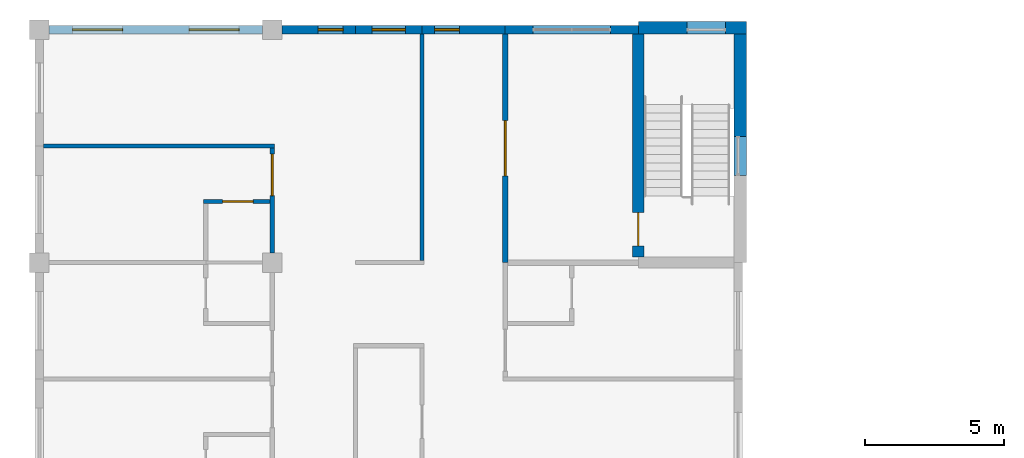
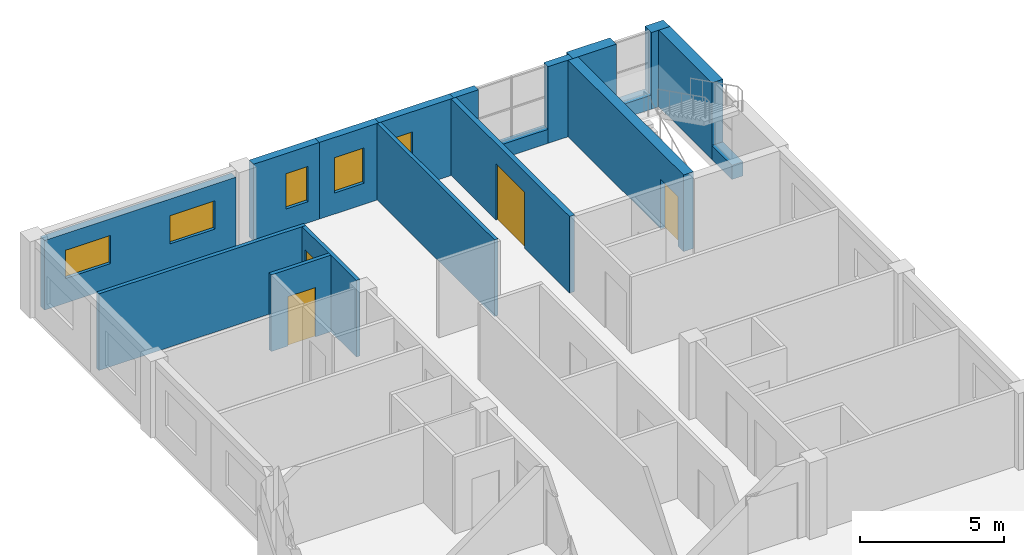
# One storey, part 34 of 45: 18 walls, 5 windows, 4 doors, 9 openings.
"""IFC4 building model written with IfcOpenShell, lengths in metres."""

from ifc_helpers import new_model, si_unit, direction, frame, frame_2d, origin, place, context, subcontext, project, spatial, rectangle, extrude, material, layer, layer_set, type_object, element, fill, save


model = new_model("IFC4")

# Units and contexts
model_context = context("Model", 3, precision=1e-05, world=origin(), true_north=direction((0.0, 1.0)))
body_context = subcontext(model_context, "Body", "Model", "MODEL_VIEW")
ifc_project = project(units=[si_unit("LENGTHUNIT", "METRE"), si_unit("AREAUNIT", "SQUARE_METRE"), si_unit("VOLUMEUNIT", "CUBIC_METRE"), si_unit("PLANEANGLEUNIT", "RADIAN"), si_unit("MASSUNIT", "GRAM", prefix="KILO")], contexts=[model_context])

# Site, building, storey
site_placement = place(None, origin())
site = spatial("IfcSite", under=ifc_project, at=site_placement, CompositionType="ELEMENT")
building_placement = place(site_placement, origin())
building = spatial("IfcBuilding", under=site, at=building_placement, Name="Yavir Park General Hospital", CompositionType="ELEMENT")
storey_placement = place(building_placement, frame((0.0, 0.0, 22.5)))
storey = spatial("IfcBuildingStorey", under=building, at=storey_placement, Name="L05", CompositionType="ELEMENT", Elevation=22.5)

# Wall, opening, door
ifc_material_1 = material(Name="Double gypsum board fire partition on steel studs", Category="steel")
ifc_layer_1 = layer(ifc_material_1, 0.199951171875)
ifc_layer_set_1 = layer_set([ifc_layer_1], Name="Double gypsum board fire partition on steel studs")
wall_type_1 = type_object("IfcWallType", Name="Fire-rated partition 200, EI 60", PredefinedType="PARTITIONING", material=ifc_layer_set_1)
wall_1_placement = place(storey_placement, frame((16.800048828125, 109.199951171875, 0.0), z_axis=(0.0, 0.0, 1.0), x_axis=(0.0, 1.0, 0.0)))
wall_1 = element("IfcWall", 1, at=wall_1_placement, inside=storey, type_object=wall_type_1, Name="FP20 L05-195", PredefinedType="PARTITIONING", context=body_context, shape_type="SweptSolid", body=[
    extrude(rectangle(XDim=8.25, YDim=0.199951171875, at=frame_2d((4.125, 0.0))), origin(), (0.0, 0.0, 1.0), 3.260009765625),
])
opening_1_placement = place(wall_1_placement, frame((3.125, 0.0, 0.0)))
opening_1 = element("IfcOpeningElement", 2, at=opening_1_placement, cuts=wall_1, Name="Opening L05.D131", PredefinedType="OPENING", context=body_context, shape_type="SweptSolid", body=[
    extrude(rectangle(XDim=2.0, YDim=2.39990234375, at=frame_2d((1.0, 1.199951171875))), frame((0.0, 0.10986328125, 0.0), z_axis=(0.0, -1.0, 0.0), x_axis=(1.0, 0.0, 0.0)), (0.0, 0.0, 1.0), 0.219970703125),
])
ifc_material_2 = material(Name="Steel frame, fire-resisting leaves with vision panels", Category="steel")
door_type_1 = type_object("IfcDoorType", Name="Double fire door with vision panels 2000 x 2400, EI 60", OperationType="DOUBLE_DOOR_SINGLE_SWING", PredefinedType="DOOR", material=ifc_material_2)
door_1_placement = place(opening_1_placement, origin())
door_1 = element("IfcDoor", 3, at=door_1_placement, inside=storey, type_object=door_type_1, Name="L05.D131", OperationType="SINGLE_SWING_LEFT", OverallHeight=2.39990234375, OverallWidth=2.0, PredefinedType="DOOR", context=body_context, shape_type="SweptSolid", body=[
    extrude(rectangle(XDim=2.0, YDim=2.39990234375, at=frame_2d((1.0, 1.199951171875))), frame((0.0, 0.030029296875, 0.0), z_axis=(0.0, -1.0, 0.0), x_axis=(1.0, 0.0, 0.0)), (0.0, 0.0, 1.0), 0.06005859375),
])
fill(opening_1, door_1)

ifc_material_3 = material(Name="Gypsum board partition on steel studs", Category="steel")
ifc_layer_2 = layer(ifc_material_3, 0.14990234375)
ifc_layer_set_2 = layer_set([ifc_layer_2], Name="Gypsum board partition on steel studs")
wall_type_2 = type_object("IfcWallType", Name="Gypsum board partition 150", PredefinedType="PARTITIONING", material=ifc_layer_set_2)
wall_2_placement = place(storey_placement, frame((5.925048828125, 111.39990234375, 0.0), z_axis=(0.0, 0.0, 1.0), x_axis=(1.0, 0.0, 0.0)))
wall_2 = element("IfcWall", 4, at=wall_2_placement, inside=storey, type_object=wall_type_2, Name="P15 L05-138", PredefinedType="PARTITIONING", context=body_context, shape_type="SweptSolid", body=[
    extrude(rectangle(XDim=2.39990234375, YDim=0.14990234375, at=frame_2d((1.199951171875, 0.0))), origin(), (0.0, 0.0, 1.0), 3.260009765625),
])
opening_2_placement = place(wall_2_placement, frame((0.6875, 0.0, 0.0)))
opening_2 = element("IfcOpeningElement", 5, at=opening_2_placement, cuts=wall_2, Name="Opening L05.D074", PredefinedType="OPENING", context=body_context, shape_type="SweptSolid", body=[
    extrude(rectangle(XDim=1.10009765625, YDim=2.10009765625, at=frame_2d((0.550048828125, 1.050048828125))), frame((0.0, 0.0849609375, 0.0), z_axis=(0.0, -1.0, 0.0), x_axis=(1.0, 0.0, 0.0)), (0.0, 0.0, 1.0), 0.169921875),
])
ifc_material_4 = material(Name="Hollow metal frame, solid-core timber leaf", Category="wood")
door_type_2 = type_object("IfcDoorType", Name="Single swing door 1100 x 2100", OperationType="SINGLE_SWING_LEFT", PredefinedType="DOOR", material=ifc_material_4)
door_2_placement = place(opening_2_placement, origin())
door_2 = element("IfcDoor", 6, at=door_2_placement, inside=storey, type_object=door_type_2, Name="L05.D074", OperationType="SINGLE_SWING_LEFT", OverallHeight=2.10009765625, OverallWidth=1.10009765625, PredefinedType="DOOR", context=body_context, shape_type="SweptSolid", body=[
    extrude(rectangle(XDim=1.10009765625, YDim=2.10009765625, at=frame_2d((0.550048828125, 1.050048828125))), frame((0.0, 0.02490234375, 0.0), z_axis=(0.0, -1.0, 0.0), x_axis=(1.0, 0.0, 0.0)), (0.0, 0.0, 1.0), 0.050048828125),
])
fill(opening_2, door_2)

# Wall
wall_3_placement = place(storey_placement, frame((0.14990234375, 113.39990234375, 0.0), z_axis=(0.0, 0.0, 1.0), x_axis=(1.0, 0.0, 0.0)))
element("IfcWall", 7, at=wall_3_placement, inside=storey, type_object=wall_type_2, Name="P15 L05-139", PredefinedType="PARTITIONING", context=body_context, shape_type="SweptSolid", body=[
    extrude(rectangle(XDim=8.3251953125, YDim=0.14990234375, at=frame_2d((4.16259765625, 0.0))), origin(), (0.0, 0.0, 1.0), 3.260009765625),
])

# Wall, opening, door
wall_4_placement = place(storey_placement, frame((8.39990234375, 109.550048828125, 0.0), z_axis=(0.0, 0.0, 1.0), x_axis=(0.0, 1.0, 0.0)))
wall_4 = element("IfcWall", 8, at=wall_4_placement, inside=storey, type_object=wall_type_2, Name="P15 L05-171", PredefinedType="PARTITIONING", context=body_context, shape_type="SweptSolid", body=[
    extrude(rectangle(XDim=3.77490234375, YDim=0.14990234375, at=frame_2d((1.887451171875, 0.0))), origin(), (0.0, 0.0, 1.0), 3.260009765625),
])
opening_3_placement = place(wall_4_placement, frame((2.0625, 0.0, 0.0)))
opening_3 = element("IfcOpeningElement", 9, at=opening_3_placement, cuts=wall_4, Name="Opening L05.D106", PredefinedType="OPENING", context=body_context, shape_type="SweptSolid", body=[
    extrude(rectangle(XDim=1.5, YDim=2.39990234375, at=frame_2d((0.75, 1.199951171875))), frame((0.0, 0.0849609375, 0.0), z_axis=(0.0, -1.0, 0.0), x_axis=(1.0, 0.0, 0.0)), (0.0, 0.0, 1.0), 0.169921875),
])
ifc_material_5 = material(Name="Solid-core timber leaves, push plates, kick plates", Category="wood")
door_type_3 = type_object("IfcDoorType", Name="Bed door, unequal leaves 1500 x 2400", OperationType="DOUBLE_DOOR_SINGLE_SWING", PredefinedType="DOOR", material=ifc_material_5)
door_3_placement = place(opening_3_placement, origin())
door_3 = element("IfcDoor", 10, at=door_3_placement, inside=storey, type_object=door_type_3, Name="L05.D106", OperationType="SINGLE_SWING_RIGHT", OverallHeight=2.39990234375, OverallWidth=1.5, PredefinedType="DOOR", context=body_context, shape_type="SweptSolid", body=[
    extrude(rectangle(XDim=1.5, YDim=2.39990234375, at=frame_2d((0.75, 1.199951171875))), frame((0.0, 0.030029296875, 0.0), z_axis=(0.0, -1.0, 0.0), x_axis=(1.0, 0.0, 0.0)), (0.0, 0.0, 1.0), 0.06005859375),
])
fill(opening_3, door_3)

# Wall
wall_5_placement = place(storey_placement, frame((13.800048828125, 109.27490234375, 0.0), z_axis=(0.0, 0.0, 1.0), x_axis=(0.0, 1.0, 0.0)))
element("IfcWall", 11, at=wall_5_placement, inside=storey, type_object=wall_type_2, Name="P15 L05-182", PredefinedType="PARTITIONING", context=body_context, shape_type="SweptSolid", body=[
    extrude(rectangle(XDim=8.175048828125, YDim=0.14990234375, at=frame_2d((4.08740234375, 0.0))), origin(), (0.0, 0.0, 1.0), 3.260009765625),
])

# Wall, openings, windows
ifc_material_6 = material(Name="Autoclaved aerated block, mineral wool and ochre mineral render")
ifc_layer_3 = layer(ifc_material_6, 0.300048828125)
ifc_layer_set_3 = layer_set([ifc_layer_3], Name="Autoclaved aerated block, mineral wool and ochre mineral render")
wall_type_3 = type_object("IfcWallType", Name="Ochre render ward wall 300, E 30", PredefinedType="SOLIDWALL", material=ifc_layer_set_3)
wall_6_placement = place(storey_placement, frame((0.35009765625, 117.60009765625, 0.0), z_axis=(0.0, 0.0, 1.0), x_axis=(1.0, 0.0, 0.0)))
wall_6 = element("IfcWall", 12, at=wall_6_placement, inside=storey, type_object=wall_type_3, Name="XW7 L05-058", PredefinedType="SOLIDWALL", context=body_context, shape_type="SweptSolid", body=[
    extrude(rectangle(XDim=7.699951171875, YDim=0.300048828125, at=frame_2d((3.85009765625, 0.0))), origin(), (0.0, 0.0, 1.0), 2.9599609375),
])
opening_4_placement = place(wall_6_placement, frame((0.85009765625, 0.0, 1.050048828125)))
opening_4 = element("IfcOpeningElement", 13, at=opening_4_placement, cuts=wall_6, Name="Opening WQ", PredefinedType="OPENING", context=body_context, shape_type="SweptSolid", body=[
    extrude(rectangle(XDim=1.800048828125, YDim=1.199951171875, at=frame_2d((0.89990234375, 0.60009765625))), frame((0.0, 0.159912109375, 0.0), z_axis=(0.0, -1.0, 0.0), x_axis=(1.0, 0.0, 0.0)), (0.0, 0.0, 1.0), 0.320068359375),
])
opening_5_placement = place(wall_6_placement, frame((5.050048828125, 0.0, 1.050048828125)))
opening_5 = element("IfcOpeningElement", 14, at=opening_5_placement, cuts=wall_6, Name="Opening WQ", PredefinedType="OPENING", context=body_context, shape_type="SweptSolid", body=[
    extrude(rectangle(XDim=1.800048828125, YDim=1.199951171875, at=frame_2d((0.89990234375, 0.60009765625))), frame((0.0, 0.159912109375, 0.0), z_axis=(0.0, -1.0, 0.0), x_axis=(1.0, 0.0, 0.0)), (0.0, 0.0, 1.0), 0.320068359375),
])
ifc_material_7 = material(Name="Aluminium frame, double glazed unit", Category="aluminium")
window_type_1 = type_object("IfcWindowType", Name="Dining room window 1800 x 1200", PartitioningType="DOUBLE_PANEL_VERTICAL", PredefinedType="WINDOW", material=ifc_material_7)
window_1_placement = place(opening_4_placement, origin())
window_1 = element("IfcWindow", 15, at=window_1_placement, inside=storey, type_object=window_type_1, Name="WQ L05-019", OverallHeight=1.199951171875, OverallWidth=1.800048828125, PartitioningType="DOUBLE_PANEL_VERTICAL", PredefinedType="WINDOW", context=body_context, shape_type="SweptSolid", body=[
    extrude(rectangle(XDim=1.800048828125, YDim=1.199951171875, at=frame_2d((0.89990234375, 0.60009765625))), frame((0.0, 0.030029296875, 0.0), z_axis=(0.0, -1.0, 0.0), x_axis=(1.0, 0.0, 0.0)), (0.0, 0.0, 1.0), 0.06005859375),
])
fill(opening_4, window_1)
window_2_placement = place(opening_5_placement, origin())
window_2 = element("IfcWindow", 16, at=window_2_placement, inside=storey, type_object=window_type_1, Name="WQ L05-020", OverallHeight=1.199951171875, OverallWidth=1.800048828125, PartitioningType="DOUBLE_PANEL_VERTICAL", PredefinedType="WINDOW", context=body_context, shape_type="SweptSolid", body=[
    extrude(rectangle(XDim=1.800048828125, YDim=1.199951171875, at=frame_2d((0.89990234375, 0.60009765625))), frame((0.0, 0.030029296875, 0.0), z_axis=(0.0, -1.0, 0.0), x_axis=(1.0, 0.0, 0.0)), (0.0, 0.0, 1.0), 0.06005859375),
])
fill(opening_5, window_2)

# Wall, opening, window
wall_7_placement = place(storey_placement, frame((8.75, 117.60009765625, 0.0), z_axis=(0.0, 0.0, 1.0), x_axis=(1.0, 0.0, 0.0)))
wall_7 = element("IfcWall", 17, at=wall_7_placement, inside=storey, type_object=wall_type_3, Name="XW7 L05-059", PredefinedType="SOLIDWALL", context=body_context, shape_type="SweptSolid", body=[
    extrude(rectangle(XDim=2.64990234375, YDim=0.300048828125, at=frame_2d((1.324951171875, 0.0))), origin(), (0.0, 0.0, 1.0), 3.260009765625),
])
opening_6_placement = place(wall_7_placement, frame((1.300048828125, 0.0, 0.89990234375)))
opening_6 = element("IfcOpeningElement", 18, at=opening_6_placement, cuts=wall_7, Name="Opening WH", PredefinedType="OPENING", context=body_context, shape_type="SweptSolid", body=[
    extrude(rectangle(XDim=0.89990234375, YDim=1.5, at=frame_2d((0.449951171875, 0.75))), frame((0.0, 0.159912109375, 0.0), z_axis=(0.0, -1.0, 0.0), x_axis=(1.0, 0.0, 0.0)), (0.0, 0.0, 1.0), 0.320068359375),
])
ifc_material_8 = material(Name="Aluminium frame, double glazed unit", Category="aluminium")
window_type_2 = type_object("IfcWindowType", Name="Narrow window 900 x 1500", PartitioningType="SINGLE_PANEL", PredefinedType="WINDOW", material=ifc_material_8)
window_3_placement = place(opening_6_placement, origin())
window_3 = element("IfcWindow", 19, at=window_3_placement, inside=storey, type_object=window_type_2, Name="WH L05-021", OverallHeight=1.5, OverallWidth=0.89990234375, PartitioningType="SINGLE_PANEL", PredefinedType="WINDOW", context=body_context, shape_type="SweptSolid", body=[
    extrude(rectangle(XDim=0.89990234375, YDim=1.5, at=frame_2d((0.449951171875, 0.75))), frame((0.0, 0.030029296875, 0.0), z_axis=(0.0, -1.0, 0.0), x_axis=(1.0, 0.0, 0.0)), (0.0, 0.0, 1.0), 0.06005859375),
])
fill(opening_6, window_3)

wall_8_placement = place(storey_placement, frame((11.39990234375, 117.60009765625, 0.0), z_axis=(0.0, 0.0, 1.0), x_axis=(1.0, 0.0, 0.0)))
wall_8 = element("IfcWall", 20, at=wall_8_placement, inside=storey, type_object=wall_type_3, Name="XW7 L05-060", PredefinedType="SOLIDWALL", context=body_context, shape_type="SweptSolid", body=[
    extrude(rectangle(XDim=2.400146484375, YDim=0.300048828125, at=frame_2d((1.2001953125, 0.0))), origin(), (0.0, 0.0, 1.0), 3.260009765625),
])
opening_7_placement = place(wall_8_placement, frame((0.60009765625, 0.0, 0.89990234375)))
opening_7 = element("IfcOpeningElement", 21, at=opening_7_placement, cuts=wall_8, Name="Opening WD", PredefinedType="OPENING", context=body_context, shape_type="SweptSolid", body=[
    extrude(rectangle(XDim=1.199951171875, YDim=1.5, at=frame_2d((0.60009765625, 0.75))), frame((0.0, 0.159912109375, 0.0), z_axis=(0.0, -1.0, 0.0), x_axis=(1.0, 0.0, 0.0)), (0.0, 0.0, 1.0), 0.320068359375),
])
ifc_material_9 = material(Name="Aluminium frame, double glazed unit", Category="aluminium")
window_type_3 = type_object("IfcWindowType", Name="Office window 1200 x 1500", PartitioningType="SINGLE_PANEL", PredefinedType="WINDOW", material=ifc_material_9)
window_4_placement = place(opening_7_placement, origin())
window_4 = element("IfcWindow", 22, at=window_4_placement, inside=storey, type_object=window_type_3, Name="WD L05-022", OverallHeight=1.5, OverallWidth=1.199951171875, PartitioningType="SINGLE_PANEL", PredefinedType="WINDOW", context=body_context, shape_type="SweptSolid", body=[
    extrude(rectangle(XDim=1.199951171875, YDim=1.5, at=frame_2d((0.60009765625, 0.75))), frame((0.0, 0.030029296875, 0.0), z_axis=(0.0, -1.0, 0.0), x_axis=(1.0, 0.0, 0.0)), (0.0, 0.0, 1.0), 0.06005859375),
])
fill(opening_7, window_4)

wall_9_placement = place(storey_placement, frame((13.800048828125, 117.60009765625, 0.0), z_axis=(0.0, 0.0, 1.0), x_axis=(1.0, 0.0, 0.0)))
wall_9 = element("IfcWall", 23, at=wall_9_placement, inside=storey, type_object=wall_type_3, Name="XW7 L05-061", PredefinedType="SOLIDWALL", context=body_context, shape_type="SweptSolid", body=[
    extrude(rectangle(XDim=3.0, YDim=0.300048828125, at=frame_2d((1.5, 0.0))), origin(), (0.0, 0.0, 1.0), 3.260009765625),
])
opening_8_placement = place(wall_9_placement, frame((0.449951171875, 0.0, 0.89990234375)))
opening_8 = element("IfcOpeningElement", 24, at=opening_8_placement, cuts=wall_9, Name="Opening WH", PredefinedType="OPENING", context=body_context, shape_type="SweptSolid", body=[
    extrude(rectangle(XDim=0.89990234375, YDim=1.5, at=frame_2d((0.449951171875, 0.75))), frame((0.0, 0.159912109375, 0.0), z_axis=(0.0, -1.0, 0.0), x_axis=(1.0, 0.0, 0.0)), (0.0, 0.0, 1.0), 0.320068359375),
])
window_5_placement = place(opening_8_placement, origin())
window_5 = element("IfcWindow", 25, at=window_5_placement, inside=storey, type_object=window_type_2, Name="WH L05-023", OverallHeight=1.5, OverallWidth=0.89990234375, PartitioningType="SINGLE_PANEL", PredefinedType="WINDOW", context=body_context, shape_type="SweptSolid", body=[
    extrude(rectangle(XDim=0.89990234375, YDim=1.5, at=frame_2d((0.449951171875, 0.75))), frame((0.0, 0.030029296875, 0.0), z_axis=(0.0, -1.0, 0.0), x_axis=(1.0, 0.0, 0.0)), (0.0, 0.0, 1.0), 0.06005859375),
])
fill(opening_8, window_5)

# Walls
for number, where, z_axis, x_axis, name in (
    (26, (16.800048828125, 117.60009765625, 0.0), (0.0, 0.0, 1.0), (1.0, 0.0, 0.0), "XW7 L05-062"),
    (27, (20.60009765625, 117.60009765625, 0.0), (0.0, 0.0, 1.0), (1.0, 0.0, 0.0), "XW7 L05-063"),
):
    element("IfcWall", number, at=place(storey_placement, frame(where, z_axis=z_axis, x_axis=x_axis)), inside=storey, type_object=wall_type_3, Name=name, PredefinedType="SOLIDWALL", context=body_context, shape_type="SweptSolid", body=[
        extrude(rectangle(XDim=1.0, YDim=0.300048828125, at=frame_2d((0.5, 0.0))), origin(), (0.0, 0.0, 1.0), 3.260009765625),
    ])
wall_10_placement = place(storey_placement, frame((17.800048828125, 117.60009765625, 0.0), z_axis=(0.0, 0.0, 1.0), x_axis=(1.0, 0.0, 0.0)))
element("IfcWall", 28, at=wall_10_placement, inside=storey, type_object=wall_type_3, Name="XW7 L05-064", PredefinedType="SOLIDWALL", context=body_context, shape_type="SweptSolid", body=[
    extrude(rectangle(XDim=2.800048828125, YDim=0.300048828125, at=frame_2d((1.39990234375, 0.0))), origin(), (0.0, 0.0, 1.0), 0.60009765625),
])

# Wall, opening, door
ifc_material_10 = material(Name="Concrete C35/45", Category="concrete")
ifc_layer_4 = layer(ifc_material_10, 0.39990234375)
ifc_layer_set_4 = layer_set([ifc_layer_4], Name="Concrete C35/45")
wall_type_4 = type_object("IfcWallType", Name="Reinforced concrete core wall 400, REI 150", PredefinedType="SHEAR", material=ifc_layer_set_4)
wall_11_placement = place(storey_placement, frame((21.60009765625, 109.39990234375, 0.0), z_axis=(0.0, 0.0, 1.0), x_axis=(0.0, 1.0, 0.0)))
wall_11 = element("IfcWall", 29, at=wall_11_placement, inside=storey, type_object=wall_type_4, Name="CW40 L05-211", PredefinedType="SHEAR", context=body_context, shape_type="SweptSolid", body=[
    extrude(rectangle(XDim=8.050048828125, YDim=0.39990234375, at=frame_2d((4.02490234375, 0.0))), origin(), (0.0, 0.0, 1.0), 3.260009765625),
])
opening_9_placement = place(wall_11_placement, frame((0.39990234375, 0.0, 0.0)))
opening_9 = element("IfcOpeningElement", 30, at=opening_9_placement, cuts=wall_11, Name="Opening L05.D140", PredefinedType="OPENING", context=body_context, shape_type="SweptSolid", body=[
    extrude(rectangle(XDim=1.199951171875, YDim=2.10009765625, at=frame_2d((0.60009765625, 1.050048828125))), frame((0.0, 0.2099609375, 0.0), z_axis=(0.0, -1.0, 0.0), x_axis=(1.0, 0.0, 0.0)), (0.0, 0.0, 1.0), 0.419921875),
])
ifc_material_11 = material(Name="Steel frame, fire-resisting timber leaf", Category="steel")
door_type_4 = type_object("IfcDoorType", Name="Fire door 1200 x 2100, EI 60", OperationType="SINGLE_SWING_LEFT", PredefinedType="DOOR", material=ifc_material_11)
door_4_placement = place(opening_9_placement, origin())
door_4 = element("IfcDoor", 31, at=door_4_placement, inside=storey, type_object=door_type_4, Name="L05.D140", OperationType="SINGLE_SWING_LEFT", OverallHeight=2.10009765625, OverallWidth=1.199951171875, PredefinedType="DOOR", context=body_context, shape_type="SweptSolid", body=[
    extrude(rectangle(XDim=1.199951171875, YDim=2.10009765625, at=frame_2d((0.60009765625, 1.050048828125))), frame((0.0, 0.02490234375, 0.0), z_axis=(0.0, -1.0, 0.0), x_axis=(1.0, 0.0, 0.0)), (0.0, 0.0, 1.0), 0.050048828125),
])
fill(opening_9, door_4)

# Walls
ifc_material_12 = material(Name="Concrete C30/37 precast panel with 150 mm mineral wool insulation", Category="concrete")
ifc_layer_5 = layer(ifc_material_12, 0.449951171875)
ifc_layer_set_5 = layer_set([ifc_layer_5], Name="Concrete C30/37 precast panel with 150 mm mineral wool insulation")
wall_type_5 = type_object("IfcWallType", Name="Stair enclosure wall 450, REI 150", PredefinedType="SOLIDWALL", material=ifc_layer_set_5)
wall_12_placement = place(storey_placement, frame((21.60009765625, 117.675048828125, 0.0), z_axis=(0.0, 0.0, 1.0), x_axis=(1.0, 0.0, 0.0)))
element("IfcWall", 32, at=wall_12_placement, inside=storey, type_object=wall_type_5, Name="XW6 L05-065", PredefinedType="SOLIDWALL", context=body_context, shape_type="SweptSolid", body=[
    extrude(rectangle(XDim=1.75, YDim=0.449951171875, at=frame_2d((0.875, 0.0))), origin(), (0.0, 0.0, 1.0), 3.260009765625),
])
wall_13_placement = place(storey_placement, frame((24.75, 117.675048828125, 0.0), z_axis=(0.0, 0.0, 1.0), x_axis=(1.0, 0.0, 0.0)))
element("IfcWall", 33, at=wall_13_placement, inside=storey, type_object=wall_type_5, Name="XW6 L05-066", PredefinedType="SOLIDWALL", context=body_context, shape_type="SweptSolid", body=[
    extrude(rectangle(XDim=0.75, YDim=0.449951171875, at=frame_2d((0.375, 0.0))), origin(), (0.0, 0.0, 1.0), 3.260009765625),
])
wall_14_placement = place(storey_placement, frame((23.35009765625, 117.675048828125, 0.0), z_axis=(0.0, 0.0, 1.0), x_axis=(1.0, 0.0, 0.0)))
element("IfcWall", 34, at=wall_14_placement, inside=storey, type_object=wall_type_5, Name="XW6 L05-067", PredefinedType="SOLIDWALL", context=body_context, shape_type="SweptSolid", body=[
    extrude(rectangle(XDim=1.39990234375, YDim=0.449951171875, at=frame_2d((0.699951171875, 0.0))), origin(), (0.0, 0.0, 1.0), 0.60009765625),
])
wall_15_placement = place(storey_placement, frame((25.27490234375, 113.75, 0.0), z_axis=(0.0, 0.0, 1.0), x_axis=(0.0, 1.0, 0.0)))
element("IfcWall", 35, at=wall_15_placement, inside=storey, type_object=wall_type_5, Name="XW6 L05-125", PredefinedType="SOLIDWALL", context=body_context, shape_type="SweptSolid", body=[
    extrude(rectangle(XDim=3.699951171875, YDim=0.449951171875, at=frame_2d((1.85009765625, 0.0))), origin(), (0.0, 0.0, 1.0), 3.260009765625),
])
wall_16_placement = place(storey_placement, frame((25.27490234375, 112.35009765625, 0.0), z_axis=(0.0, 0.0, 1.0), x_axis=(0.0, 1.0, 0.0)))
element("IfcWall", 36, at=wall_16_placement, inside=storey, type_object=wall_type_5, Name="XW6 L05-126", PredefinedType="SOLIDWALL", context=body_context, shape_type="SweptSolid", body=[
    extrude(rectangle(XDim=1.39990234375, YDim=0.449951171875, at=frame_2d((0.699951171875, 0.0))), origin(), (0.0, 0.0, 1.0), 0.60009765625),
])

save(model, "model.ifc")
